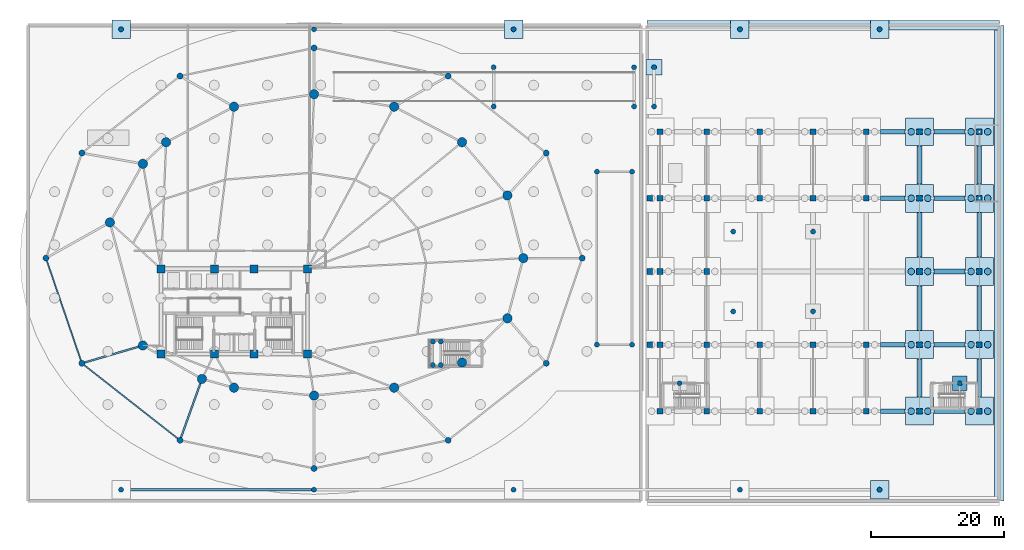
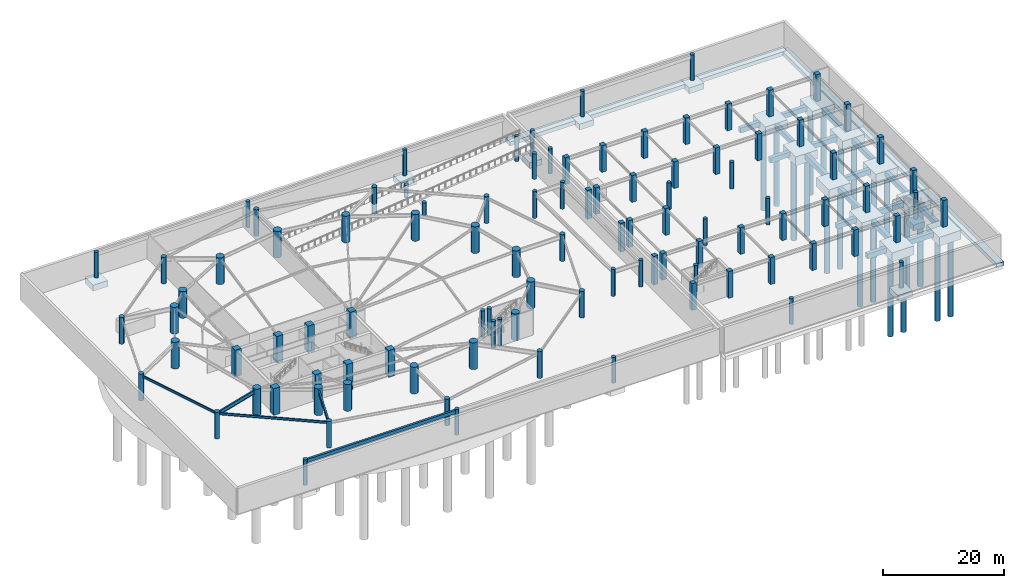
# One storey, part 2 of 22: 101 columns, 36 footings, 20 piles, 5 beams.
"""IFC4 building model written with IfcOpenShell, lengths in metres."""

from ifc_helpers import new_model, si_unit, direction, frame, frame_2d, origin, origin_2d, place, context, subcontext, project, spatial, rectangle, circle, i_section, extrude, material, layer, layer_set, material_profile, profile_set, type_object, element, save


model = new_model("IFC4")

# Units and contexts
model_context = context("Model", 3, precision=1e-05, world=origin(), true_north=direction((0.0, 1.0)))
body_context = subcontext(model_context, "Body", "Model", "MODEL_VIEW")
ifc_project = project(units=[si_unit("LENGTHUNIT", "METRE"), si_unit("AREAUNIT", "SQUARE_METRE"), si_unit("VOLUMEUNIT", "CUBIC_METRE"), si_unit("PLANEANGLEUNIT", "RADIAN"), si_unit("MASSUNIT", "GRAM", prefix="KILO")], contexts=[model_context])

# Site, building, storey
site_placement = place(None, origin())
site = spatial("IfcSite", under=ifc_project, at=site_placement, CompositionType="ELEMENT")
building_placement = place(site_placement, origin())
building = spatial("IfcBuilding", under=site, at=building_placement, Name="Kazevale Care Tower and Concert Hall", CompositionType="ELEMENT")
storey_placement = place(building_placement, frame((0.0, 0.0, -5.39990234375)))
storey = spatial("IfcBuildingStorey", under=building, at=storey_placement, Name="B1", CompositionType="ELEMENT", Elevation=-5.39990234375)

# Piles
ifc_material_1 = material(Name="Concrete C50", Category="concrete")
ifc_material_profile_1 = material_profile(ifc_material_1, circle(Radius=0.5, at=origin_2d()), Name="PILE-D1000")
ifc_profile_set_1 = profile_set([ifc_material_profile_1], Name="Concrete C50")
pile_type = type_object("IfcPileType", Name="Concert Hall Bored Pile D1000", PredefinedType="BORED", material=ifc_profile_set_1)
for number, where, z_axis, x_axis, name in (
    (1, (134.75, 15.0, -2.080078125), (0.0, 0.0, -1.0), (1.0, 0.0, 0.0), "pile:ch:045"),
    (2, (137.25, 15.0, -2.080078125), (0.0, 0.0, -1.0), (1.0, 0.0, 0.0), "pile:ch:046"),
    (3, (134.75, 25.0, -2.080078125), (0.0, 0.0, -1.0), (1.0, 0.0, 0.0), "pile:ch:047"),
    (4, (137.25, 25.0, -2.080078125), (0.0, 0.0, -1.0), (1.0, 0.0, 0.0), "pile:ch:048"),
    (5, (134.75, 36.0, -2.080078125), (0.0, 0.0, -1.0), (1.0, 0.0, 0.0), "pile:ch:049"),
    (6, (137.25, 36.0, -2.080078125), (0.0, 0.0, -1.0), (1.0, 0.0, 0.0), "pile:ch:050"),
    (7, (134.75, 47.0, -2.080078125), (0.0, 0.0, -1.0), (1.0, 0.0, 0.0), "pile:ch:051"),
    (8, (137.25, 47.0, -2.080078125), (0.0, 0.0, -1.0), (1.0, 0.0, 0.0), "pile:ch:052"),
    (9, (134.75, 57.0, -2.080078125), (0.0, 0.0, -1.0), (1.0, 0.0, 0.0), "pile:ch:053"),
    (10, (137.25, 57.0, -2.080078125), (0.0, 0.0, -1.0), (1.0, 0.0, 0.0), "pile:ch:054"),
    (11, (143.75, 15.0, -2.080078125), (0.0, 0.0, -1.0), (1.0, 0.0, 0.0), "pile:ch:055"),
    (12, (146.25, 15.0, -2.080078125), (0.0, 0.0, -1.0), (1.0, 0.0, 0.0), "pile:ch:056"),
    (13, (143.75, 25.0, -2.080078125), (0.0, 0.0, -1.0), (1.0, 0.0, 0.0), "pile:ch:057"),
    (14, (146.25, 25.0, -2.080078125), (0.0, 0.0, -1.0), (1.0, 0.0, 0.0), "pile:ch:058"),
    (15, (143.75, 36.0, -2.080078125), (0.0, 0.0, -1.0), (1.0, 0.0, 0.0), "pile:ch:059"),
    (16, (146.25, 36.0, -2.080078125), (0.0, 0.0, -1.0), (1.0, 0.0, 0.0), "pile:ch:060"),
    (17, (143.75, 47.0, -2.080078125), (0.0, 0.0, -1.0), (1.0, 0.0, 0.0), "pile:ch:061"),
    (18, (146.25, 47.0, -2.080078125), (0.0, 0.0, -1.0), (1.0, 0.0, 0.0), "pile:ch:062"),
    (19, (143.75, 57.0, -2.080078125), (0.0, 0.0, -1.0), (1.0, 0.0, 0.0), "pile:ch:063"),
    (20, (146.25, 57.0, -2.080078125), (0.0, 0.0, -1.0), (1.0, 0.0, 0.0), "pile:ch:064"),
):
    element("IfcPile", number, at=place(storey_placement, frame(where, z_axis=z_axis, x_axis=x_axis)), inside=storey, type_object=pile_type, Name=name, PredefinedType="BORED", context=body_context, shape_type="SweptSolid", body=[
        extrude(circle(Radius=0.5, at=origin_2d()), origin(), (0.0, 0.0, 1.0), 16.52001953125),
    ])

# Footings
ifc_layer_1 = layer(ifc_material_1, 1.800048828125)
ifc_layer_set_1 = layer_set([ifc_layer_1], Name="Concrete C50")
footing_type_1 = type_object("IfcFootingType", Name="Concert Hall Pile Cap 4200x4200x1800", PredefinedType="PILE_CAP", material=ifc_layer_set_1)
for number, where, z_axis, x_axis, name in (
    (21, (136.0, 15.0, -2.2001953125), (0.0, 0.0, 1.0), (1.0, 0.0, 0.0), "fnd:hcap:HC-23"),
    (22, (136.0, 25.0, -2.2001953125), (0.0, 0.0, 1.0), (1.0, 0.0, 0.0), "fnd:hcap:HC-24"),
    (23, (136.0, 36.0, -2.2001953125), (0.0, 0.0, 1.0), (1.0, 0.0, 0.0), "fnd:hcap:HC-25"),
    (24, (136.0, 47.0, -2.2001953125), (0.0, 0.0, 1.0), (1.0, 0.0, 0.0), "fnd:hcap:HC-26"),
    (25, (136.0, 57.0, -2.2001953125), (0.0, 0.0, 1.0), (1.0, 0.0, 0.0), "fnd:hcap:HC-27"),
    (26, (145.0, 15.0, -2.2001953125), (0.0, 0.0, 1.0), (1.0, 0.0, 0.0), "fnd:hcap:HC-28"),
    (27, (145.0, 25.0, -2.2001953125), (0.0, 0.0, 1.0), (1.0, 0.0, 0.0), "fnd:hcap:HC-29"),
    (28, (145.0, 36.0, -2.2001953125), (0.0, 0.0, 1.0), (1.0, 0.0, 0.0), "fnd:hcap:HC-30"),
    (29, (145.0, 47.0, -2.2001953125), (0.0, 0.0, 1.0), (1.0, 0.0, 0.0), "fnd:hcap:HC-31"),
    (30, (145.0, 57.0, -2.2001953125), (0.0, 0.0, 1.0), (1.0, 0.0, 0.0), "fnd:hcap:HC-32"),
):
    element("IfcFooting", number, at=place(storey_placement, frame(where, z_axis=z_axis, x_axis=x_axis)), inside=storey, type_object=footing_type_1, Name=name, PredefinedType="PILE_CAP", context=body_context, shape_type="SweptSolid", body=[
        extrude(rectangle(XDim=4.199951171875, YDim=4.199951171875, at=origin_2d()), origin(), (0.0, 0.0, 1.0), 1.800048828125),
    ])
ifc_material_profile_2 = material_profile(ifc_material_1, rectangle(XDim=0.699951171875, YDim=1.0, at=origin_2d()), Name="RC-GB700x1000")
ifc_profile_set_2 = profile_set([ifc_material_profile_2], Name="Concrete C50")
footing_type_2 = type_object("IfcFootingType", Name="Foundation Tie Beam 700x1000", PredefinedType="FOOTING_BEAM", material=ifc_profile_set_2)
footing_1_placement = place(storey_placement, frame((130.14990234375, 15.0, -1.400146484375), z_axis=(0.0, 0.0, 1.0), x_axis=(1.0, 0.0, 0.0)))
element("IfcFooting", 31, at=footing_1_placement, inside=storey, type_object=footing_type_2, Name="fnd:B1:ftb:05", PredefinedType="FOOTING_BEAM", context=body_context, shape_type="SweptSolid", body=[
    extrude(rectangle(XDim=3.7001953125, YDim=0.699951171875, at=frame_2d((1.85009765625, 0.0))), origin(), (0.0, 0.0, 1.0), 1.0),
])
footing_2_placement = place(storey_placement, frame((138.14990234375, 15.0, -1.400146484375), z_axis=(0.0, 0.0, 1.0), x_axis=(1.0, 0.0, 0.0)))
element("IfcFooting", 32, at=footing_2_placement, inside=storey, type_object=footing_type_2, Name="fnd:B1:ftb:06", PredefinedType="FOOTING_BEAM", context=body_context, shape_type="SweptSolid", body=[
    extrude(rectangle(XDim=4.7001953125, YDim=0.699951171875, at=frame_2d((2.35009765625, 0.0))), origin(), (0.0, 0.0, 1.0), 1.0),
])
footing_3_placement = place(storey_placement, frame((130.14990234375, 25.0, -1.400146484375), z_axis=(0.0, 0.0, 1.0), x_axis=(1.0, 0.0, 0.0)))
element("IfcFooting", 33, at=footing_3_placement, inside=storey, type_object=footing_type_2, Name="fnd:B1:ftb:11", PredefinedType="FOOTING_BEAM", context=body_context, shape_type="SweptSolid", body=[
    extrude(rectangle(XDim=3.7001953125, YDim=0.699951171875, at=frame_2d((1.85009765625, 0.0))), origin(), (0.0, 0.0, 1.0), 1.0),
])
for number, where, z_axis, x_axis, name in (
    (34, (138.14990234375, 25.0, -1.400146484375), (0.0, 0.0, 1.0), (1.0, 0.0, 0.0), "fnd:B1:ftb:12"),
    (35, (138.14990234375, 36.0, -1.400146484375), (0.0, 0.0, 1.0), (1.0, 0.0, 0.0), "fnd:B1:ftb:15"),
):
    element("IfcFooting", number, at=place(storey_placement, frame(where, z_axis=z_axis, x_axis=x_axis)), inside=storey, type_object=footing_type_2, Name=name, PredefinedType="FOOTING_BEAM", context=body_context, shape_type="SweptSolid", body=[
        extrude(rectangle(XDim=4.7001953125, YDim=0.699951171875, at=frame_2d((2.35009765625, 0.0))), origin(), (0.0, 0.0, 1.0), 1.0),
    ])
footing_4_placement = place(storey_placement, frame((130.14990234375, 47.0, -1.400146484375), z_axis=(0.0, 0.0, 1.0), x_axis=(1.0, 0.0, 0.0)))
element("IfcFooting", 36, at=footing_4_placement, inside=storey, type_object=footing_type_2, Name="fnd:B1:ftb:20", PredefinedType="FOOTING_BEAM", context=body_context, shape_type="SweptSolid", body=[
    extrude(rectangle(XDim=3.7001953125, YDim=0.699951171875, at=frame_2d((1.85009765625, 0.0))), origin(), (0.0, 0.0, 1.0), 1.0),
])
footing_5_placement = place(storey_placement, frame((138.14990234375, 47.0, -1.400146484375), z_axis=(0.0, 0.0, 1.0), x_axis=(1.0, 0.0, 0.0)))
element("IfcFooting", 37, at=footing_5_placement, inside=storey, type_object=footing_type_2, Name="fnd:B1:ftb:21", PredefinedType="FOOTING_BEAM", context=body_context, shape_type="SweptSolid", body=[
    extrude(rectangle(XDim=4.7001953125, YDim=0.699951171875, at=frame_2d((2.35009765625, 0.0))), origin(), (0.0, 0.0, 1.0), 1.0),
])
footing_6_placement = place(storey_placement, frame((130.14990234375, 57.0, -1.400146484375), z_axis=(0.0, 0.0, 1.0), x_axis=(1.0, 0.0, 0.0)))
element("IfcFooting", 38, at=footing_6_placement, inside=storey, type_object=footing_type_2, Name="fnd:B1:ftb:26", PredefinedType="FOOTING_BEAM", context=body_context, shape_type="SweptSolid", body=[
    extrude(rectangle(XDim=3.7001953125, YDim=0.699951171875, at=frame_2d((1.85009765625, 0.0))), origin(), (0.0, 0.0, 1.0), 1.0),
])
footing_7_placement = place(storey_placement, frame((138.14990234375, 57.0, -1.400146484375), z_axis=(0.0, 0.0, 1.0), x_axis=(1.0, 0.0, 0.0)))
element("IfcFooting", 39, at=footing_7_placement, inside=storey, type_object=footing_type_2, Name="fnd:B1:ftb:27", PredefinedType="FOOTING_BEAM", context=body_context, shape_type="SweptSolid", body=[
    extrude(rectangle(XDim=4.7001953125, YDim=0.699951171875, at=frame_2d((2.35009765625, 0.0))), origin(), (0.0, 0.0, 1.0), 1.0),
])
footing_8_placement = place(storey_placement, frame((136.0, 17.14990234375, -1.400146484375), z_axis=(0.0, 0.0, 1.0), x_axis=(0.0, 1.0, 0.0)))
element("IfcFooting", 40, at=footing_8_placement, inside=storey, type_object=footing_type_2, Name="fnd:B1:ftb:45", PredefinedType="FOOTING_BEAM", context=body_context, shape_type="SweptSolid", body=[
    extrude(rectangle(XDim=5.7001953125, YDim=0.699951171875, at=frame_2d((2.85009765625, 0.0))), origin(), (0.0, 0.0, 1.0), 1.0),
])
for number, where, z_axis, x_axis, name in (
    (41, (136.0, 27.14990234375, -1.400146484375), (0.0, 0.0, 1.0), (0.0, 1.0, 0.0), "fnd:B1:ftb:46"),
    (42, (136.0, 38.14990234375, -1.400146484375), (0.0, 0.0, 1.0), (0.0, 1.0, 0.0), "fnd:B1:ftb:47"),
):
    element("IfcFooting", number, at=place(storey_placement, frame(where, z_axis=z_axis, x_axis=x_axis)), inside=storey, type_object=footing_type_2, Name=name, PredefinedType="FOOTING_BEAM", context=body_context, shape_type="SweptSolid", body=[
        extrude(rectangle(XDim=6.7001953125, YDim=0.699951171875, at=frame_2d((3.35009765625, 0.0))), origin(), (0.0, 0.0, 1.0), 1.0),
    ])
for number, where, z_axis, x_axis, name in (
    (43, (136.0, 49.14990234375, -1.400146484375), (0.0, 0.0, 1.0), (0.0, 1.0, 0.0), "fnd:B1:ftb:48"),
    (44, (145.0, 17.14990234375, -1.400146484375), (0.0, 0.0, 1.0), (0.0, 1.0, 0.0), "fnd:B1:ftb:49"),
):
    element("IfcFooting", number, at=place(storey_placement, frame(where, z_axis=z_axis, x_axis=x_axis)), inside=storey, type_object=footing_type_2, Name=name, PredefinedType="FOOTING_BEAM", context=body_context, shape_type="SweptSolid", body=[
        extrude(rectangle(XDim=5.7001953125, YDim=0.699951171875, at=frame_2d((2.85009765625, 0.0))), origin(), (0.0, 0.0, 1.0), 1.0),
    ])
for number, where, z_axis, x_axis, name in (
    (45, (145.0, 27.14990234375, -1.400146484375), (0.0, 0.0, 1.0), (0.0, 1.0, 0.0), "fnd:B1:ftb:50"),
    (46, (145.0, 38.14990234375, -1.400146484375), (0.0, 0.0, 1.0), (0.0, 1.0, 0.0), "fnd:B1:ftb:51"),
):
    element("IfcFooting", number, at=place(storey_placement, frame(where, z_axis=z_axis, x_axis=x_axis)), inside=storey, type_object=footing_type_2, Name=name, PredefinedType="FOOTING_BEAM", context=body_context, shape_type="SweptSolid", body=[
        extrude(rectangle(XDim=6.7001953125, YDim=0.699951171875, at=frame_2d((3.35009765625, 0.0))), origin(), (0.0, 0.0, 1.0), 1.0),
    ])
footing_9_placement = place(storey_placement, frame((145.0, 49.14990234375, -1.400146484375), z_axis=(0.0, 0.0, 1.0), x_axis=(0.0, 1.0, 0.0)))
element("IfcFooting", 47, at=footing_9_placement, inside=storey, type_object=footing_type_2, Name="fnd:B1:ftb:52", PredefinedType="FOOTING_BEAM", context=body_context, shape_type="SweptSolid", body=[
    extrude(rectangle(XDim=5.7001953125, YDim=0.699951171875, at=frame_2d((2.85009765625, 0.0))), origin(), (0.0, 0.0, 1.0), 1.0),
])
ifc_layer_2 = layer(ifc_material_1, 1.199951171875)
ifc_layer_set_2 = layer_set([ifc_layer_2], Name="Concrete C50")
footing_type_3 = type_object("IfcFootingType", Name="Garden Basement Pad Footing 2800x2800x1200", PredefinedType="PAD_FOOTING", material=ifc_layer_set_2)
for number, where, z_axis, x_axis, name in (
    (48, (16.0, 72.39990234375, -1.60009765625), (0.0, 0.0, 1.0), (1.0, 0.0, 0.0), "fnd:pavpad:1_72"),
    (49, (75.0, 72.39990234375, -1.60009765625), (0.0, 0.0, 1.0), (1.0, 0.0, 0.0), "fnd:pavpad:3_72"),
    (50, (109.0, 72.39990234375, -1.60009765625), (0.0, 0.0, 1.0), (1.0, 0.0, 0.0), "fnd:pavpad:4_72"),
    (51, (130.0, 3.199951171875, -1.60009765625), (0.0, 0.0, 1.0), (1.0, 0.0, 0.0), "fnd:pavpad:5_3"),
    (52, (130.0, 72.39990234375, -1.60009765625), (0.0, 0.0, 1.0), (1.0, 0.0, 0.0), "fnd:pavpad:5_72"),
):
    element("IfcFooting", number, at=place(storey_placement, frame(where, z_axis=z_axis, x_axis=x_axis)), inside=storey, type_object=footing_type_3, Name=name, PredefinedType="PAD_FOOTING", context=body_context, shape_type="SweptSolid", body=[
        extrude(rectangle(XDim=2.800048828125, YDim=2.800048828125, at=origin_2d()), origin(), (0.0, 0.0, 1.0), 1.199951171875),
    ])
footing_10_placement = place(storey_placement, frame((96.10009765625, 66.699951171875, -1.60009765625), z_axis=(0.0, 0.0, 1.0), x_axis=(1.0, 0.0, 0.0)))
element("IfcFooting", 53, at=footing_10_placement, inside=storey, type_object=footing_type_3, Name="fnd:rmppad:4_66", PredefinedType="PAD_FOOTING", context=body_context, shape_type="SweptSolid", body=[
    extrude(rectangle(XDim=2.39990234375, YDim=2.39990234375, at=origin_2d()), origin(), (0.0, 0.0, 1.0), 1.199951171875),
])
footing_11_placement = place(storey_placement, frame((142.050048828125, 19.199951171875, -1.60009765625), z_axis=(0.0, 0.0, 1.0), x_axis=(1.0, 0.0, 0.0)))
element("IfcFooting", 54, at=footing_11_placement, inside=storey, type_object=footing_type_3, Name="fnd:ST5:npost", PredefinedType="PAD_FOOTING", context=body_context, shape_type="SweptSolid", body=[
    extrude(rectangle(XDim=2.199951171875, YDim=2.199951171875, at=origin_2d()), origin(), (0.0, 0.0, 1.0), 1.199951171875),
])
ifc_layer_3 = layer(ifc_material_1, 0.800048828125)
ifc_layer_set_3 = layer_set([ifc_layer_3], Name="Concrete C50")
footing_type_4 = type_object("IfcFootingType", Name="Retaining Wall Strip Footing 1400x800", PredefinedType="STRIP_FOOTING", material=ifc_layer_set_3)
footing_12_placement = place(storey_placement, frame((148.0, 1.5, -1.2001953125), z_axis=(0.0, 0.0, 1.0), x_axis=(0.0, 1.0, 0.0)))
element("IfcFooting", 55, at=footing_12_placement, inside=storey, type_object=footing_type_4, Name="fnd:retstrip:2", PredefinedType="STRIP_FOOTING", context=body_context, shape_type="SweptSolid", body=[
    extrude(rectangle(XDim=71.5, YDim=1.39990234375, at=frame_2d((35.75, 0.0))), origin(), (0.0, 0.0, 1.0), 0.800048828125),
])
footing_13_placement = place(storey_placement, frame((148.0, 73.0, -1.2001953125), z_axis=(0.0, 0.0, 1.0), x_axis=(-1.0, 0.0, 0.0)))
element("IfcFooting", 56, at=footing_13_placement, inside=storey, type_object=footing_type_4, Name="fnd:retstrip:3", PredefinedType="STRIP_FOOTING", context=body_context, shape_type="SweptSolid", body=[
    extrude(rectangle(XDim=52.949951171875, YDim=1.39990234375, at=frame_2d((26.47509765625, 0.0))), origin(), (0.0, 0.0, 1.0), 0.800048828125),
])

# Columns
ifc_material_profile_3 = material_profile(ifc_material_1, rectangle(XDim=0.85009765625, YDim=0.85009765625, at=origin_2d()), Name="RC-SQ850")
ifc_profile_set_3 = profile_set([ifc_material_profile_3], Name="Concrete C50")
column_type_1 = type_object("IfcColumnType", Name="Concert Hall Column SQ850 C50", PredefinedType="COLUMN", material=ifc_profile_set_3)
for number, where, z_axis, x_axis, name in (
    (57, (97.0, 15.0, 0.0), (0.0, 0.0, 1.0), (1.0, 0.0, 0.0), "col:B1:HC-01"),
    (58, (97.0, 25.0, 0.0), (0.0, 0.0, 1.0), (1.0, 0.0, 0.0), "col:B1:HC-02"),
    (59, (97.0, 36.0, 0.0), (0.0, 0.0, 1.0), (1.0, 0.0, 0.0), "col:B1:HC-03"),
    (60, (97.0, 47.0, 0.0), (0.0, 0.0, 1.0), (1.0, 0.0, 0.0), "col:B1:HC-04"),
    (61, (97.0, 57.0, 0.0), (0.0, 0.0, 1.0), (1.0, 0.0, 0.0), "col:B1:HC-05"),
    (62, (104.0, 15.0, 0.0), (0.0, 0.0, 1.0), (1.0, 0.0, 0.0), "col:B1:HC-06"),
    (63, (104.0, 25.0, 0.0), (0.0, 0.0, 1.0), (1.0, 0.0, 0.0), "col:B1:HC-07"),
    (64, (104.0, 36.0, 0.0), (0.0, 0.0, 1.0), (1.0, 0.0, 0.0), "col:B1:HC-08"),
    (65, (104.0, 47.0, 0.0), (0.0, 0.0, 1.0), (1.0, 0.0, 0.0), "col:B1:HC-09"),
    (66, (104.0, 57.0, 0.0), (0.0, 0.0, 1.0), (1.0, 0.0, 0.0), "col:B1:HC-10"),
    (67, (112.0, 15.0, 0.0), (0.0, 0.0, 1.0), (1.0, 0.0, 0.0), "col:B1:HC-11"),
    (68, (112.0, 25.0, 0.0), (0.0, 0.0, 1.0), (1.0, 0.0, 0.0), "col:B1:HC-12"),
    (69, (112.0, 47.0, 0.0), (0.0, 0.0, 1.0), (1.0, 0.0, 0.0), "col:B1:HC-13"),
    (70, (112.0, 57.0, 0.0), (0.0, 0.0, 1.0), (1.0, 0.0, 0.0), "col:B1:HC-14"),
    (71, (120.0, 15.0, 0.0), (0.0, 0.0, 1.0), (1.0, 0.0, 0.0), "col:B1:HC-15"),
    (72, (120.0, 25.0, 0.0), (0.0, 0.0, 1.0), (1.0, 0.0, 0.0), "col:B1:HC-16"),
    (73, (120.0, 47.0, 0.0), (0.0, 0.0, 1.0), (1.0, 0.0, 0.0), "col:B1:HC-17"),
    (74, (120.0, 57.0, 0.0), (0.0, 0.0, 1.0), (1.0, 0.0, 0.0), "col:B1:HC-18"),
    (75, (128.0, 15.0, 0.0), (0.0, 0.0, 1.0), (1.0, 0.0, 0.0), "col:B1:HC-19"),
    (76, (128.0, 25.0, 0.0), (0.0, 0.0, 1.0), (1.0, 0.0, 0.0), "col:B1:HC-20"),
    (77, (128.0, 47.0, 0.0), (0.0, 0.0, 1.0), (1.0, 0.0, 0.0), "col:B1:HC-21"),
    (78, (128.0, 57.0, 0.0), (0.0, 0.0, 1.0), (1.0, 0.0, 0.0), "col:B1:HC-22"),
    (79, (136.0, 15.0, 0.0), (0.0, 0.0, 1.0), (1.0, 0.0, 0.0), "col:B1:HC-23"),
    (80, (136.0, 25.0, 0.0), (0.0, 0.0, 1.0), (1.0, 0.0, 0.0), "col:B1:HC-24"),
    (81, (136.0, 36.0, 0.0), (0.0, 0.0, 1.0), (1.0, 0.0, 0.0), "col:B1:HC-25"),
    (82, (136.0, 47.0, 0.0), (0.0, 0.0, 1.0), (1.0, 0.0, 0.0), "col:B1:HC-26"),
    (83, (136.0, 57.0, 0.0), (0.0, 0.0, 1.0), (1.0, 0.0, 0.0), "col:B1:HC-27"),
    (84, (145.0, 15.0, 0.0), (0.0, 0.0, 1.0), (1.0, 0.0, 0.0), "col:B1:HC-28"),
    (85, (145.0, 25.0, 0.0), (0.0, 0.0, 1.0), (1.0, 0.0, 0.0), "col:B1:HC-29"),
    (86, (145.0, 36.0, 0.0), (0.0, 0.0, 1.0), (1.0, 0.0, 0.0), "col:B1:HC-30"),
    (87, (145.0, 47.0, 0.0), (0.0, 0.0, 1.0), (1.0, 0.0, 0.0), "col:B1:HC-31"),
    (88, (145.0, 57.0, 0.0), (0.0, 0.0, 1.0), (1.0, 0.0, 0.0), "col:B1:HC-32"),
):
    element("IfcColumn", number, at=place(storey_placement, frame(where, z_axis=z_axis, x_axis=x_axis)), inside=storey, type_object=column_type_1, Name=name, PredefinedType="COLUMN", context=body_context, shape_type="SweptSolid", body=[
        extrude(rectangle(XDim=0.85009765625, YDim=0.85009765625, at=origin_2d()), origin(), (0.0, 0.0, 1.0), 5.39990234375),
    ])
for number, where, z_axis, x_axis, name in (
    (89, (95.449951171875, 25.0, -0.400146484375), (0.0, 0.0, 1.0), (1.0, 0.0, 0.0), "col:B1:bseat:1"),
    (90, (95.449951171875, 36.0, -0.400146484375), (0.0, 0.0, 1.0), (1.0, 0.0, 0.0), "col:B1:bseat:2"),
    (91, (95.449951171875, 47.0, -0.400146484375), (0.0, 0.0, 1.0), (1.0, 0.0, 0.0), "col:B1:bseat:3"),
):
    element("IfcColumn", number, at=place(storey_placement, frame(where, z_axis=z_axis, x_axis=x_axis)), inside=storey, type_object=column_type_1, Name=name, PredefinedType="COLUMN", context=body_context, shape_type="SweptSolid", body=[
        extrude(rectangle(XDim=0.85009765625, YDim=0.85009765625, at=origin_2d()), origin(), (0.0, 0.0, 1.0), 5.800048828125),
    ])
ifc_material_2 = material(Name="Concrete C70", Category="concrete")
ifc_material_profile_4 = material_profile(ifc_material_2, rectangle(XDim=1.199951171875, YDim=1.199951171875, at=origin_2d()), Name="RC-SQ1200")
ifc_profile_set_4 = profile_set([ifc_material_profile_4], Name="Concrete C70")
column_type_2 = type_object("IfcColumnType", Name="Core Column SQ1200 C70", PredefinedType="COLUMN", material=ifc_profile_set_4)
for number, where, z_axis, x_axis, name in (
    (92, (22.0, 23.60009765625, 0.0), (0.0, 0.0, 1.0), (1.0, 0.0, 0.0), "col:B1:CC-01"),
    (93, (30.0, 23.60009765625, 0.0), (0.0, 0.0, 1.0), (1.0, 0.0, 0.0), "col:B1:CC-02"),
    (94, (36.0, 23.60009765625, 0.0), (0.0, 0.0, 1.0), (1.0, 0.0, 0.0), "col:B1:CC-03"),
    (95, (44.0, 23.60009765625, 0.0), (0.0, 0.0, 1.0), (1.0, 0.0, 0.0), "col:B1:CC-04"),
    (96, (44.0, 36.39990234375, 0.0), (0.0, 0.0, 1.0), (1.0, 0.0, 0.0), "col:B1:CC-05"),
    (97, (36.0, 36.39990234375, 0.0), (0.0, 0.0, 1.0), (1.0, 0.0, 0.0), "col:B1:CC-06"),
    (98, (30.0, 36.39990234375, 0.0), (0.0, 0.0, 1.0), (1.0, 0.0, 0.0), "col:B1:CC-07"),
    (99, (22.0, 36.39990234375, 0.0), (0.0, 0.0, 1.0), (1.0, 0.0, 0.0), "col:B1:CC-08"),
):
    element("IfcColumn", number, at=place(storey_placement, frame(where, z_axis=z_axis, x_axis=x_axis)), inside=storey, type_object=column_type_2, Name=name, PredefinedType="COLUMN", context=body_context, shape_type="SweptSolid", body=[
        extrude(rectangle(XDim=1.199951171875, YDim=1.199951171875, at=origin_2d()), origin(), (0.0, 0.0, 1.0), 5.39990234375),
    ])
ifc_material_profile_5 = material_profile(ifc_material_1, circle(Radius=0.375, at=origin_2d()), Name="RC-CIR750")
ifc_profile_set_5 = profile_set([ifc_material_profile_5], Name="Concrete C50")
column_type_3 = type_object("IfcColumnType", Name="Garden & Support Column CIR750 C50", PredefinedType="COLUMN", material=ifc_profile_set_5)
for number, where, z_axis, x_axis, name in (
    (100, (16.0, 3.199951171875, 0.0), (0.0, 0.0, 1.0), (1.0, 0.0, 0.0), "col:B1:pav:1_3"),
    (101, (16.0, 72.39990234375, 0.0), (0.0, 0.0, 1.0), (1.0, 0.0, 0.0), "col:B1:pav:1_72"),
    (102, (45.0, 3.199951171875, 0.0), (0.0, 0.0, 1.0), (1.0, 0.0, 0.0), "col:B1:pav:2_3"),
    (103, (45.0, 72.39990234375, 0.0), (0.0, 0.0, 1.0), (1.0, 0.0, 0.0), "col:B1:pav:2_72"),
    (104, (75.0, 3.199951171875, 0.0), (0.0, 0.0, 1.0), (1.0, 0.0, 0.0), "col:B1:pav:3_3"),
    (105, (75.0, 72.39990234375, 0.0), (0.0, 0.0, 1.0), (1.0, 0.0, 0.0), "col:B1:pav:3_72"),
    (106, (109.0, 3.199951171875, 0.0), (0.0, 0.0, 1.0), (1.0, 0.0, 0.0), "col:B1:pav:4_3"),
    (107, (109.0, 72.39990234375, 0.0), (0.0, 0.0, 1.0), (1.0, 0.0, 0.0), "col:B1:pav:4_72"),
    (108, (130.0, 3.199951171875, 0.0), (0.0, 0.0, 1.0), (1.0, 0.0, 0.0), "col:B1:pav:5_3"),
    (109, (130.0, 72.39990234375, 0.0), (0.0, 0.0, 1.0), (1.0, 0.0, 0.0), "col:B1:pav:5_72"),
):
    element("IfcColumn", number, at=place(storey_placement, frame(where, z_axis=z_axis, x_axis=x_axis)), inside=storey, type_object=column_type_3, Name=name, PredefinedType="COLUMN", context=body_context, shape_type="SweptSolid", body=[
        extrude(circle(Radius=0.375, at=origin_2d()), origin(), (0.0, 0.0, 1.0), 5.199951171875),
    ])
for number, where, z_axis, x_axis, name in (
    (110, (72.0, 60.800048828125, 0.0), (0.0, 0.0, 1.0), (1.0, 0.0, 0.0), "col:B1:rmpcol:2_60"),
    (111, (72.0, 66.699951171875, 0.0), (0.0, 0.0, 1.0), (1.0, 0.0, 0.0), "col:B1:rmpcol:2_66"),
):
    element("IfcColumn", number, at=place(storey_placement, frame(where, z_axis=z_axis, x_axis=x_axis)), inside=storey, type_object=column_type_3, Name=name, PredefinedType="COLUMN", context=body_context, shape_type="SweptSolid", body=[
        extrude(circle(Radius=0.375, at=origin_2d()), origin(), (0.0, 0.0, 1.0), 2.5869140625),
    ])
for number, where, z_axis, x_axis, name in (
    (112, (93.10009765625, 60.800048828125, 0.0), (0.0, 0.0, 1.0), (1.0, 0.0, 0.0), "col:B1:rmpcol:3_60"),
    (113, (93.10009765625, 66.699951171875, 0.0), (0.0, 0.0, 1.0), (1.0, 0.0, 0.0), "col:B1:rmpcol:3_66"),
    (114, (96.10009765625, 60.800048828125, 0.0), (0.0, 0.0, 1.0), (1.0, 0.0, 0.0), "col:B1:rmpcol:4_60"),
    (115, (96.10009765625, 66.699951171875, 0.0), (0.0, 0.0, 1.0), (1.0, 0.0, 0.0), "col:B1:rmpcol:4_66"),
):
    element("IfcColumn", number, at=place(storey_placement, frame(where, z_axis=z_axis, x_axis=x_axis)), inside=storey, type_object=column_type_3, Name=name, PredefinedType="COLUMN", context=body_context, shape_type="SweptSolid", body=[
        extrude(circle(Radius=0.375, at=origin_2d()), origin(), (0.0, 0.0, 1.0), 5.119873046875),
    ])
for number, where, z_axis, x_axis, name in (
    (116, (87.5, 25.0, 0.0), (0.0, 0.0, 1.0), (1.0, 0.0, 0.0), "col:B1:GC-01"),
    (117, (92.800048828125, 25.0, 0.0), (0.0, 0.0, 1.0), (1.0, 0.0, 0.0), "col:B1:GC-02"),
    (118, (92.800048828125, 51.0, 0.0), (0.0, 0.0, 1.0), (1.0, 0.0, 0.0), "col:B1:GC-03"),
    (119, (87.5, 51.0, 0.0), (0.0, 0.0, 1.0), (1.0, 0.0, 0.0), "col:B1:GC-04"),
    (120, (62.85009765625, 21.949951171875, 0.0), (0.0, 0.0, 1.0), (1.0, 0.0, 0.0), "col:B1:st3post:628_21"),
    (121, (62.85009765625, 25.449951171875, 0.0), (0.0, 0.0, 1.0), (1.0, 0.0, 0.0), "col:B1:st3post:628_25"),
    (122, (64.050048828125, 21.949951171875, 0.0), (0.0, 0.0, 1.0), (1.0, 0.0, 0.0), "col:B1:st3post:640_21"),
    (123, (64.050048828125, 25.449951171875, 0.0), (0.0, 0.0, 1.0), (1.0, 0.0, 0.0), "col:B1:st3post:640_25"),
    (124, (99.949951171875, 19.199951171875, 0.0), (0.0, 0.0, 1.0), (1.0, 0.0, 0.0), "col:B1:ST4:npost"),
    (125, (142.050048828125, 19.199951171875, 0.0), (0.0, 0.0, 1.0), (1.0, 0.0, 0.0), "col:B1:ST5:npost"),
    (126, (108.0, 30.0, 0.0), (0.0, 0.0, 1.0), (1.0, 0.0, 0.0), "col:B1:RKC-1"),
    (127, (108.0, 42.0, 0.0), (0.0, 0.0, 1.0), (1.0, 0.0, 0.0), "col:B1:RKC-2"),
    (128, (120.0, 30.0, 0.0), (0.0, 0.0, 1.0), (1.0, 0.0, 0.0), "col:B1:rkfront:1"),
    (129, (120.0, 42.0, 0.0), (0.0, 0.0, 1.0), (1.0, 0.0, 0.0), "col:B1:rkfront:2"),
):
    element("IfcColumn", number, at=place(storey_placement, frame(where, z_axis=z_axis, x_axis=x_axis)), inside=storey, type_object=column_type_3, Name=name, PredefinedType="COLUMN", context=body_context, shape_type="SweptSolid", body=[
        extrude(circle(Radius=0.375, at=origin_2d()), origin(), (0.0, 0.0, 1.0), 5.39990234375),
    ])
ifc_material_profile_6 = material_profile(ifc_material_2, circle(Radius=0.699951171875, at=origin_2d()), Name="RC-CIR1400")
ifc_profile_set_6 = profile_set([ifc_material_profile_6], Name="Concrete C70")
column_type_4 = type_object("IfcColumnType", Name="Perimeter Column CIR1400 C70", PredefinedType="COLUMN", material=ifc_profile_set_6)
for number, where, z_axis, x_axis, name in (
    (130, (76.449951171875, 38.0, 0.0), (0.0, 0.0, 1.0), (1.0, 0.0, 0.0), "col:B1:PC-01"),
    (131, (74.06005859375, 47.429931640625, 0.0), (0.0, 0.0, 1.0), (1.0, 0.0, 0.0), "col:B1:PC-02"),
    (132, (67.239990234375, 55.429931640625, 0.0), (0.0, 0.0, 1.0), (1.0, 0.0, 0.0), "col:B1:PC-03"),
    (133, (57.0400390625, 60.77001953125, 0.0), (0.0, 0.0, 1.0), (1.0, 0.0, 0.0), "col:B1:PC-04"),
    (134, (45.0, 62.64990234375, 0.0), (0.0, 0.0, 1.0), (1.0, 0.0, 0.0), "col:B1:PC-05"),
    (135, (32.9599609375, 60.77001953125, 0.0), (0.0, 0.0, 1.0), (1.0, 0.0, 0.0), "col:B1:PC-06"),
    (136, (22.760009765625, 55.429931640625, 0.0), (0.0, 0.0, 1.0), (1.0, 0.0, 0.0), "col:B1:PC-07"),
    (137, (19.27001953125, 52.179931640625, 0.0), (0.0, 0.0, 1.0), (1.0, 0.0, 0.0), "col:B1:PC-08"),
    (138, (14.31005859375, 43.3798828125, 0.0), (0.0, 0.0, 1.0), (1.0, 0.0, 0.0), "col:B1:PC-09"),
    (139, (19.27001953125, 24.8798828125, 0.0), (0.0, 0.0, 1.0), (1.0, 0.0, 0.0), "col:B1:PC-10"),
    (140, (28.14990234375, 19.85009765625, 0.0), (0.0, 0.0, 1.0), (1.0, 0.0, 0.0), "col:B1:PC-11"),
    (141, (32.9599609375, 18.530029296875, 0.0), (0.0, 0.0, 1.0), (1.0, 0.0, 0.0), "col:B1:PC-12"),
    (142, (45.0, 17.35009765625, 0.0), (0.0, 0.0, 1.0), (1.0, 0.0, 0.0), "col:B1:PC-13"),
    (143, (57.0400390625, 18.530029296875, 0.0), (0.0, 0.0, 1.0), (1.0, 0.0, 0.0), "col:B1:PC-14"),
    (144, (67.239990234375, 22.31005859375, 0.0), (0.0, 0.0, 1.0), (1.0, 0.0, 0.0), "col:B1:PC-15"),
    (145, (74.06005859375, 28.969970703125, 0.0), (0.0, 0.0, 1.0), (1.0, 0.0, 0.0), "col:B1:PC-16"),
):
    element("IfcColumn", number, at=place(storey_placement, frame(where, z_axis=z_axis, x_axis=x_axis)), inside=storey, type_object=column_type_4, Name=name, PredefinedType="COLUMN", context=body_context, shape_type="SweptSolid", body=[
        extrude(circle(Radius=0.699951171875, at=origin_2d()), origin(), (0.0, 0.0, 1.0), 5.39990234375),
    ])
ifc_material_3 = material(Name="Concrete C60", Category="concrete")
ifc_material_profile_7 = material_profile(ifc_material_3, circle(Radius=0.449951171875, at=origin_2d()), Name="RC-CIR900")
ifc_profile_set_7 = profile_set([ifc_material_profile_7], Name="Concrete C60")
column_type_5 = type_object("IfcColumnType", Name="Podium Column CIR900 C60", PredefinedType="COLUMN", material=ifc_profile_set_7)
for number, where, z_axis, x_axis, name in (
    (146, (85.300048828125, 38.0, 0.0), (0.0, 0.0, 1.0), (1.0, 0.0, 0.0), "col:B1:PDC-01"),
    (147, (79.89990234375, 53.800048828125, 0.0), (0.0, 0.0, 1.0), (1.0, 0.0, 0.0), "col:B1:PDC-02"),
    (148, (65.14990234375, 65.3701171875, 0.0), (0.0, 0.0, 1.0), (1.0, 0.0, 0.0), "col:B1:PDC-03"),
    (149, (45.0, 69.60009765625, 0.0), (0.0, 0.0, 1.0), (1.0, 0.0, 0.0), "col:B1:PDC-04"),
    (150, (24.85009765625, 65.3701171875, 0.0), (0.0, 0.0, 1.0), (1.0, 0.0, 0.0), "col:B1:PDC-05"),
    (151, (10.10009765625, 53.800048828125, 0.0), (0.0, 0.0, 1.0), (1.0, 0.0, 0.0), "col:B1:PDC-06"),
    (152, (4.699951171875, 38.0, 0.0), (0.0, 0.0, 1.0), (1.0, 0.0, 0.0), "col:B1:PDC-07"),
    (153, (10.10009765625, 22.199951171875, 0.0), (0.0, 0.0, 1.0), (1.0, 0.0, 0.0), "col:B1:PDC-08"),
    (154, (24.85009765625, 10.6298828125, 0.0), (0.0, 0.0, 1.0), (1.0, 0.0, 0.0), "col:B1:PDC-09"),
    (155, (45.0, 6.39990234375, 0.0), (0.0, 0.0, 1.0), (1.0, 0.0, 0.0), "col:B1:PDC-10"),
    (156, (65.14990234375, 10.6298828125, 0.0), (0.0, 0.0, 1.0), (1.0, 0.0, 0.0), "col:B1:PDC-11"),
    (157, (79.89990234375, 22.199951171875, 0.0), (0.0, 0.0, 1.0), (1.0, 0.0, 0.0), "col:B1:PDC-12"),
):
    element("IfcColumn", number, at=place(storey_placement, frame(where, z_axis=z_axis, x_axis=x_axis)), inside=storey, type_object=column_type_5, Name=name, PredefinedType="COLUMN", context=body_context, shape_type="SweptSolid", body=[
        extrude(circle(Radius=0.449951171875, at=origin_2d()), origin(), (0.0, 0.0, 1.0), 5.39990234375),
    ])

# Beams
ifc_material_profile_8 = material_profile(ifc_material_1, rectangle(XDim=0.39990234375, YDim=0.699951171875, at=origin_2d()), Name="RC-B400x700")
ifc_profile_set_8 = profile_set([ifc_material_profile_8], Name="Concrete C50")
beam_type_1 = type_object("IfcBeamType", Name="Basement Frame Beam RC400x700", PredefinedType="BEAM", material=ifc_profile_set_8)
beam_1_placement = place(storey_placement, frame((16.0, 3.199951171875, 4.699951171875), z_axis=(1.0, 0.0, 0.0), x_axis=(0.0, 1.0, 0.0)))
element("IfcBeam", 158, at=beam_1_placement, inside=storey, type_object=beam_type_1, Name="beam:B1:pavbeam:1_3", PredefinedType="BEAM", context=body_context, shape_type="SweptSolid", body=[
    extrude(rectangle(XDim=0.39990234375, YDim=0.699951171875, at=origin_2d()), origin(), (0.0, 0.0, 1.0), 29.0),
])
ifc_material_4 = material(Name="Steel ASTM A572 Gr 50", Category="steel")
ifc_material_profile_9 = material_profile(ifc_material_4, i_section(OverallWidth=0.194091796875, OverallDepth=0.468994140625, WebThickness=0.0126953125, FlangeThickness=0.0205078125, at=origin_2d()), Name="W460x106")
ifc_profile_set_9 = profile_set([ifc_material_profile_9], Name="Steel ASTM A572 Gr 50")
beam_type_2 = type_object("IfcBeamType", Name="Podium Floor Beam W460x106", PredefinedType="BEAM", material=ifc_profile_set_9)
beam_2_placement = place(storey_placement, frame((4.699951171875, 38.0, 4.885498046875), z_axis=(0.323412440773, -0.946258100707, 0.0), x_axis=(0.946258100707, 0.323412440773, 0.0)))
element("IfcBeam", 159, at=beam_2_placement, inside=storey, type_object=beam_type_2, Name="beam:B1:podring:07", PredefinedType="BEAM", context=body_context, shape_type="SweptSolid", body=[
    extrude(i_section(OverallWidth=0.194091796875, OverallDepth=0.468994140625, WebThickness=0.0126953125, FlangeThickness=0.0205078125, at=origin_2d()), origin(), (0.0, 0.0, 1.0), 16.697509765625),
])
beam_3_placement = place(storey_placement, frame((10.10009765625, 22.199951171875, 4.885498046875), z_axis=(0.786816091325, -0.617187522907, 0.0), x_axis=(0.617187522907, 0.786816091325, 0.0)))
element("IfcBeam", 160, at=beam_3_placement, inside=storey, type_object=beam_type_2, Name="beam:B1:podring:08", PredefinedType="BEAM", context=body_context, shape_type="SweptSolid", body=[
    extrude(i_section(OverallWidth=0.194091796875, OverallDepth=0.468994140625, WebThickness=0.0126953125, FlangeThickness=0.0205078125, at=origin_2d()), origin(), (0.0, 0.0, 1.0), 18.746337890625),
])
ifc_material_profile_10 = material_profile(ifc_material_4, i_section(OverallWidth=0.26806640625, OverallDepth=0.77001953125, WebThickness=0.015625, FlangeThickness=0.025390625, at=origin_2d()), Name="W760x196")
ifc_profile_set_10 = profile_set([ifc_material_profile_10], Name="Steel ASTM A572 Gr 50")
beam_type_3 = type_object("IfcBeamType", Name="Podium Primary Girder W760x196", PredefinedType="BEAM", material=ifc_profile_set_10)
beam_4_placement = place(storey_placement, frame((19.27001953125, 24.8798828125, 4.73486328125), z_axis=(-0.959848737665, -0.28051809354, 0.0), x_axis=(0.28051809354, -0.959848737665, 0.0)))
element("IfcBeam", 161, at=beam_4_placement, inside=storey, type_object=beam_type_3, Name="beam:B1:podrad:08", PredefinedType="BEAM", context=body_context, shape_type="SweptSolid", body=[
    extrude(i_section(OverallWidth=0.26806640625, OverallDepth=0.77001953125, WebThickness=0.015625, FlangeThickness=0.025390625, at=origin_2d()), origin(), (0.0, 0.0, 1.0), 9.553466796875),
])
beam_5_placement = place(storey_placement, frame((28.14990234375, 19.85009765625, 4.73486328125), z_axis=(-0.336958566987, -0.941519476237, 0.0), x_axis=(0.941519476237, -0.336958566987, 0.0)))
element("IfcBeam", 162, at=beam_5_placement, inside=storey, type_object=beam_type_3, Name="beam:B1:podrad:09", PredefinedType="BEAM", context=body_context, shape_type="SweptSolid", body=[
    extrude(i_section(OverallWidth=0.26806640625, OverallDepth=0.77001953125, WebThickness=0.015625, FlangeThickness=0.025390625, at=origin_2d()), origin(), (0.0, 0.0, 1.0), 9.79296875),
])

save(model, "model.ifc")
